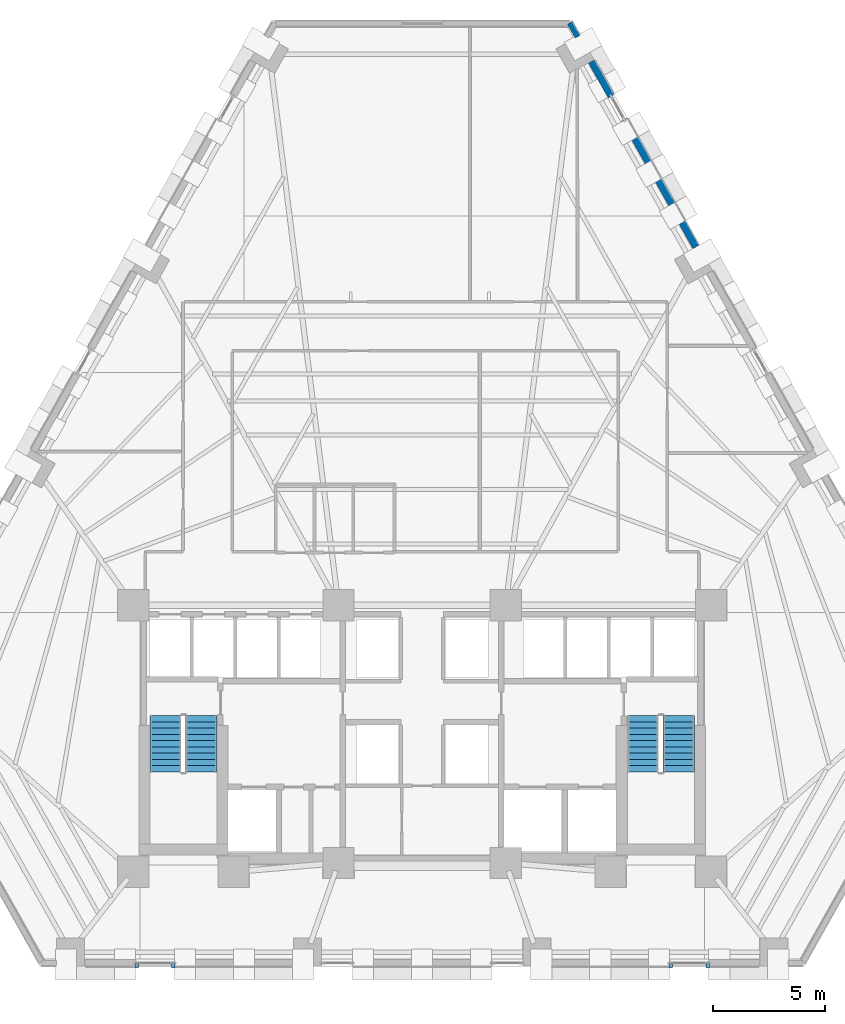
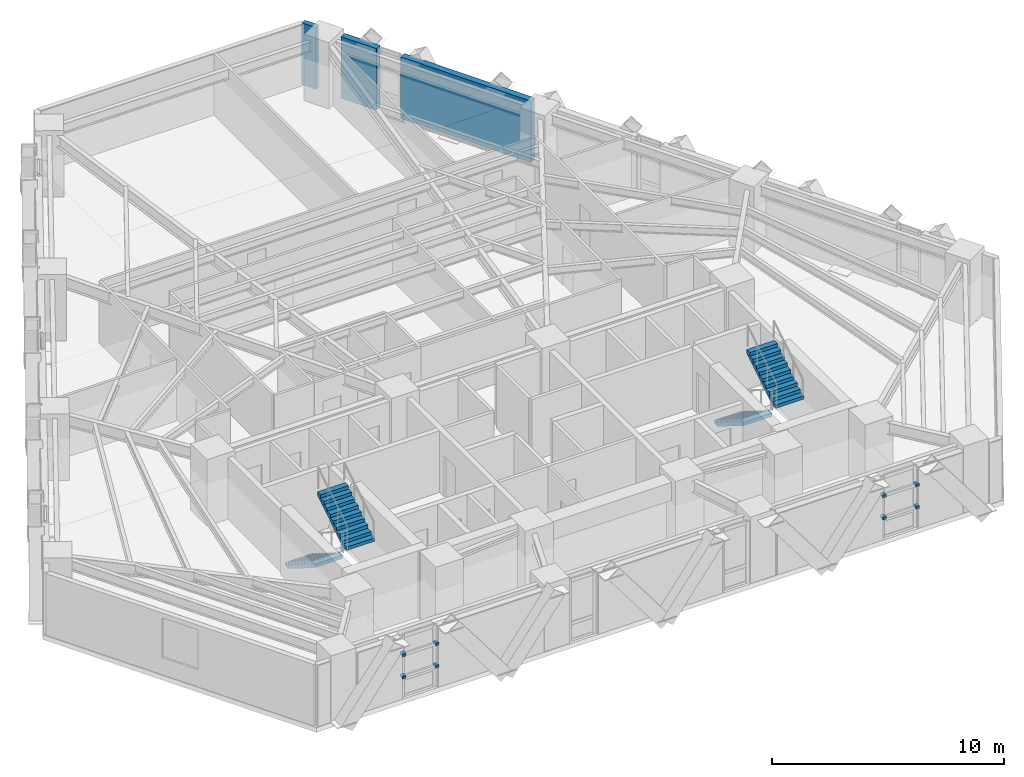
# One storey, part 9 of 13: 8 discrete accessories, 4 stair flights, 3 walls, 2 elements without a shape of their own.
"""IFC4 building model written with IfcOpenShell, lengths in metres."""

from ifc_helpers import new_model, si_unit, direction, frame, frame_2d, origin, origin_2d, place, context, subcontext, project, spatial, polyline, rectangle, outline, extrude, material, layer, layer_set, type_object, element, aggregate, save


model = new_model("IFC4")

# Units and contexts
model_context = context("Model", 3, precision=1e-05, world=origin(), true_north=direction((0.0, 1.0)))
body_context = subcontext(model_context, "Body", "Model", "MODEL_VIEW")
ifc_project = project(units=[si_unit("LENGTHUNIT", "METRE"), si_unit("AREAUNIT", "SQUARE_METRE"), si_unit("VOLUMEUNIT", "CUBIC_METRE"), si_unit("PLANEANGLEUNIT", "RADIAN"), si_unit("MASSUNIT", "GRAM", prefix="KILO")], contexts=[model_context])

# Site, building, storey
site_placement = place(None, origin())
site = spatial("IfcSite", under=ifc_project, at=site_placement, CompositionType="ELEMENT")
building_placement = place(site_placement, origin())
building = spatial("IfcBuilding", under=site, at=building_placement, Name="Quenlor Broadcast Tower", CompositionType="ELEMENT")
storey_placement = place(building_placement, frame((0.0, 0.0, 59.10009765625)))
storey = spatial("IfcBuildingStorey", under=building, at=storey_placement, Name="L15", CompositionType="ELEMENT", Elevation=59.10009765625)

# Walls
ifc_material_1 = material(Name="Precast concrete C40/50", Category="concrete")
ifc_layer_1 = layer(ifc_material_1, 0.239990234375)
ifc_layer_set_1 = layer_set([ifc_layer_1], Name="Terrace Threshold Precast Concrete C40/50 Wall 240")
wall_type_1 = type_object("IfcWallType", Name="Terrace Threshold Precast Concrete C40/50 Wall 240", PredefinedType="STANDARD", material=ifc_layer_set_1)
wall_1_placement = place(storey_placement, frame((6.621826171875, 21.30126953125, 0.0), z_axis=(0.0, 0.0, 1.0), x_axis=(0.490261239633, -0.871575537125, 0.0)))
element("IfcWall", 1, at=wall_1_placement, inside=storey, type_object=wall_type_1, Name="L15 Exterior Wall L15-SHD-NES0", PredefinedType="STANDARD", context=body_context, shape_type="SweptSolid", body=[
    extrude(rectangle(XDim=0.7080078125, YDim=0.239990234375, at=frame_2d((0.35400390625, 0.0))), origin(), (0.0, 0.0, 1.0), 3.25),
])
ifc_material_2 = material(Name="Precast concrete C40/50", Category="concrete")
ifc_layer_2 = layer(ifc_material_2, 0.300048828125)
ifc_layer_set_2 = layer_set([ifc_layer_2], Name="Terracotta Precast Concrete C40/50 Spandrel Wall 300")
wall_type_2 = type_object("IfcWallType", Name="Terracotta Precast Concrete C40/50 Spandrel Wall 300", PredefinedType="STANDARD", material=ifc_layer_set_2)
wall_2_placement = place(storey_placement, frame((7.5966796875, 19.568603515625, 0.0), z_axis=(0.0, 0.0, 1.0), x_axis=(0.490183206509, -0.871619426158, 0.0)))
element("IfcWall", 2, at=wall_2_placement, inside=storey, type_object=wall_type_2, Name="L15 Exterior Wall L15-NEA-SP1", PredefinedType="STANDARD", context=body_context, shape_type="SweptSolid", body=[
    extrude(rectangle(XDim=1.782470703125, YDim=0.300048828125, at=frame_2d((0.89111328125, 0.0))), origin(), (0.0, 0.0, 1.0), 3.25),
])
wall_3_placement = place(storey_placement, frame((9.0634765625, 16.9609375, 0.0), z_axis=(0.0, 0.0, 1.0), x_axis=(0.490261239633, -0.871575537125, 0.0)))
element("IfcWall", 3, at=wall_3_placement, inside=storey, type_object=wall_type_2, Name="L15 Exterior Wall L15-NEA-SP2", PredefinedType="STANDARD", context=body_context, shape_type="SweptSolid", body=[
    extrude(rectangle(XDim=6.54345703125, YDim=0.300048828125, at=frame_2d((3.271728515625, 0.0))), origin(), (0.0, 0.0, 1.0), 3.25),
])

# Stair, stair flights
ifc_material_3 = material(Name="Precast concrete C40/50", Category="concrete")
stair_type = type_object("IfcStairType", Name="Precast Concrete C40/50 Dogleg Stair H350", PredefinedType="HALF_TURN_STAIR", material=ifc_material_3)
stair_1_placement = place(storey_placement, origin())
stair_1 = element("IfcStair", 4, at=stair_1_placement, inside=storey, type_object=stair_type, Name="L15 West Core Fire-Isolated Exit Stair ST-1", PredefinedType="HALF_TURN_STAIR")
ifc_material_4 = material(Name="Precast concrete C40/50", Category="concrete")
ifc_layer_3 = layer(ifc_material_4, 0.159912109375)
ifc_layer_set_3 = layer_set([ifc_layer_3], Name="Precast Concrete C40/50 Stair Flight H350")
stair_flight_type = type_object("IfcStairFlightType", Name="Precast Concrete C40/50 Stair Flight H350", PredefinedType="STRAIGHT", material=ifc_layer_set_3)
stair_flight_1_placement = place(storey_placement, frame((-11.5, -9.75, 0.0), z_axis=(0.0, 0.0, 1.0), x_axis=(0.0, -1.0, 0.0)))
stair_flight_1 = element("IfcStairFlight", 5, at=stair_flight_1_placement, type_object=stair_flight_type, Name="ST-1 flight 1", NumberOfRisers=10, NumberOfTreads=9, PredefinedType="STRAIGHT", RiserHeight=0.175, TreadLength=0.28, context=body_context, shape_type="SweptSolid", body=[
    extrude(outline(polyline([(0.0, 0.0), (0.0, 0.175048828125), (0.280029296875, 0.175048828125), (0.280029296875, 0.35009765625), (0.56005859375, 0.35009765625), (0.56005859375, 0.52490234375), (0.840087890625, 0.52490234375), (0.840087890625, 0.699951171875), (1.1201171875, 0.699951171875), (1.1201171875, 0.875), (1.39990234375, 0.875), (1.39990234375, 1.050048828125), (1.679931640625, 1.050048828125), (1.679931640625, 1.22509765625), (1.9599609375, 1.22509765625), (1.9599609375, 1.39990234375), (2.239990234375, 1.39990234375), (2.239990234375, 1.574951171875), (2.52001953125, 1.574951171875), (2.52001953125, 1.75), (2.52001953125, 1.398193359375), (0.28271484375, 0.0), (0.0, 0.0)])), frame((0.0, 0.699951171875, 0.0), z_axis=(0.0, -1.0, 0.0), x_axis=(1.0, 0.0, 0.0)), (0.0, 0.0, 1.0), 1.39990234375),
])
stair_flight_2_placement = place(storey_placement, frame((-9.89990234375, -12.27001953125, 1.75), z_axis=(0.0, 0.0, 1.0), x_axis=(0.0, 1.0, 0.0)))
stair_flight_2 = element("IfcStairFlight", 6, at=stair_flight_2_placement, type_object=stair_flight_type, Name="ST-1 flight 2", NumberOfRisers=10, NumberOfTreads=9, PredefinedType="STRAIGHT", RiserHeight=0.175, TreadLength=0.28, context=body_context, shape_type="SweptSolid", body=[
    extrude(outline(polyline([(0.0, 0.0), (0.0, 0.175048828125), (0.280029296875, 0.175048828125), (0.280029296875, 0.35009765625), (0.56005859375, 0.35009765625), (0.56005859375, 0.52490234375), (0.840087890625, 0.52490234375), (0.840087890625, 0.699951171875), (1.1201171875, 0.699951171875), (1.1201171875, 0.875), (1.39990234375, 0.875), (1.39990234375, 1.050048828125), (1.679931640625, 1.050048828125), (1.679931640625, 1.22509765625), (1.9599609375, 1.22509765625), (1.9599609375, 1.39990234375), (2.239990234375, 1.39990234375), (2.239990234375, 1.574951171875), (2.52001953125, 1.574951171875), (2.52001953125, 1.75), (2.52001953125, 1.398193359375), (0.28271484375, 0.0), (0.0, 0.0)])), frame((0.0, 0.699951171875, 0.0), z_axis=(0.0, -1.0, 0.0), x_axis=(1.0, 0.0, 0.0)), (0.0, 0.0, 1.0), 1.39990234375),
])
aggregate(stair_1, [stair_flight_1, stair_flight_2])

stair_2_placement = place(storey_placement, origin())
stair_2 = element("IfcStair", 7, at=stair_2_placement, inside=storey, type_object=stair_type, Name="L15 East Core Fire-Isolated Exit Stair ST-2", PredefinedType="HALF_TURN_STAIR")
stair_flight_3_placement = place(storey_placement, frame((9.89990234375, -9.75, 0.0), z_axis=(0.0, 0.0, 1.0), x_axis=(0.0, -1.0, 0.0)))
stair_flight_3 = element("IfcStairFlight", 8, at=stair_flight_3_placement, type_object=stair_flight_type, Name="ST-2 flight 1", NumberOfRisers=10, NumberOfTreads=9, PredefinedType="STRAIGHT", RiserHeight=0.175, TreadLength=0.28, context=body_context, shape_type="SweptSolid", body=[
    extrude(outline(polyline([(0.0, 0.0), (0.0, 0.175048828125), (0.280029296875, 0.175048828125), (0.280029296875, 0.35009765625), (0.56005859375, 0.35009765625), (0.56005859375, 0.52490234375), (0.840087890625, 0.52490234375), (0.840087890625, 0.699951171875), (1.1201171875, 0.699951171875), (1.1201171875, 0.875), (1.39990234375, 0.875), (1.39990234375, 1.050048828125), (1.679931640625, 1.050048828125), (1.679931640625, 1.22509765625), (1.9599609375, 1.22509765625), (1.9599609375, 1.39990234375), (2.239990234375, 1.39990234375), (2.239990234375, 1.574951171875), (2.52001953125, 1.574951171875), (2.52001953125, 1.75), (2.52001953125, 1.398193359375), (0.28271484375, 0.0), (0.0, 0.0)])), frame((0.0, 0.699951171875, 0.0), z_axis=(0.0, -1.0, 0.0), x_axis=(1.0, 0.0, 0.0)), (0.0, 0.0, 1.0), 1.39990234375),
])
stair_flight_4_placement = place(storey_placement, frame((11.5, -12.27001953125, 1.75), z_axis=(0.0, 0.0, 1.0), x_axis=(0.0, 1.0, 0.0)))
stair_flight_4 = element("IfcStairFlight", 9, at=stair_flight_4_placement, type_object=stair_flight_type, Name="ST-2 flight 2", NumberOfRisers=10, NumberOfTreads=9, PredefinedType="STRAIGHT", RiserHeight=0.175, TreadLength=0.28, context=body_context, shape_type="SweptSolid", body=[
    extrude(outline(polyline([(0.0, 0.0), (0.0, 0.175048828125), (0.280029296875, 0.175048828125), (0.280029296875, 0.35009765625), (0.56005859375, 0.35009765625), (0.56005859375, 0.52490234375), (0.840087890625, 0.52490234375), (0.840087890625, 0.699951171875), (1.1201171875, 0.699951171875), (1.1201171875, 0.875), (1.39990234375, 0.875), (1.39990234375, 1.050048828125), (1.679931640625, 1.050048828125), (1.679931640625, 1.22509765625), (1.9599609375, 1.22509765625), (1.9599609375, 1.39990234375), (2.239990234375, 1.39990234375), (2.239990234375, 1.574951171875), (2.52001953125, 1.574951171875), (2.52001953125, 1.75), (2.52001953125, 1.398193359375), (0.28271484375, 0.0), (0.0, 0.0)])), frame((0.0, 0.699951171875, 0.0), z_axis=(0.0, -1.0, 0.0), x_axis=(1.0, 0.0, 0.0)), (0.0, 0.0, 1.0), 1.39990234375),
])
aggregate(stair_2, [stair_flight_3, stair_flight_4])

# Discrete accessories
ifc_material_5 = material(Name="Aluminium 6063-T6", Category="aluminium")
discrete_accessory_type = type_object("IfcDiscreteAccessoryType", Name="Stainless Mullion Baguette Support Bracket", PredefinedType="BRACKET", material=ifc_material_5)
for number, where, z_axis, x_axis, name in (
    (10, (12.794921875, -20.949951171875, 1.10009765625), (0.0, 0.0, 1.0), (-1.0, 0.0, 0.0), "L15 Baguette Mullion Bracket 1.1"),
    (11, (11.146484375, -20.949951171875, 1.10009765625), (0.0, 0.0, 1.0), (-1.0, 0.0, 0.0), "L15 Baguette Mullion Bracket 1.2"),
    (12, (12.794921875, -20.949951171875, 2.27001953125), (0.0, 0.0, 1.0), (-1.0, 0.0, 0.0), "L15 Baguette Mullion Bracket 2.1"),
    (13, (11.146484375, -20.949951171875, 2.27001953125), (0.0, 0.0, 1.0), (-1.0, 0.0, 0.0), "L15 Baguette Mullion Bracket 2.2"),
    (14, (-11.146484375, -20.949951171875, 1.10009765625), (0.0, 0.0, 1.0), (-1.0, 0.0, 0.0), "L15 Baguette Mullion Bracket 1.1"),
    (15, (-12.794921875, -20.949951171875, 1.10009765625), (0.0, 0.0, 1.0), (-1.0, 0.0, 0.0), "L15 Baguette Mullion Bracket 1.2"),
    (16, (-11.146484375, -20.949951171875, 2.27001953125), (0.0, 0.0, 1.0), (-1.0, 0.0, 0.0), "L15 Baguette Mullion Bracket 2.1"),
    (17, (-12.794921875, -20.949951171875, 2.27001953125), (0.0, 0.0, 1.0), (-1.0, 0.0, 0.0), "L15 Baguette Mullion Bracket 2.2"),
):
    element("IfcDiscreteAccessory", number, at=place(storey_placement, frame(where, z_axis=z_axis, x_axis=x_axis)), inside=storey, type_object=discrete_accessory_type, Name=name, PredefinedType="BRACKET", context=body_context, shape_type="SweptSolid", body=[
        extrude(rectangle(XDim=0.159912109375, YDim=0.239990234375, at=origin_2d()), origin(), (0.0, 0.0, 1.0), 0.139892578125),
    ])

save(model, "model.ifc")
